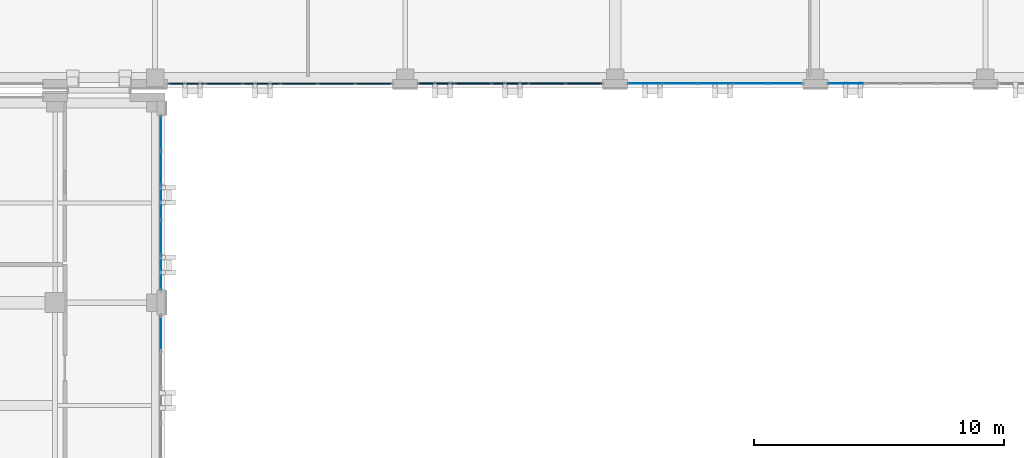
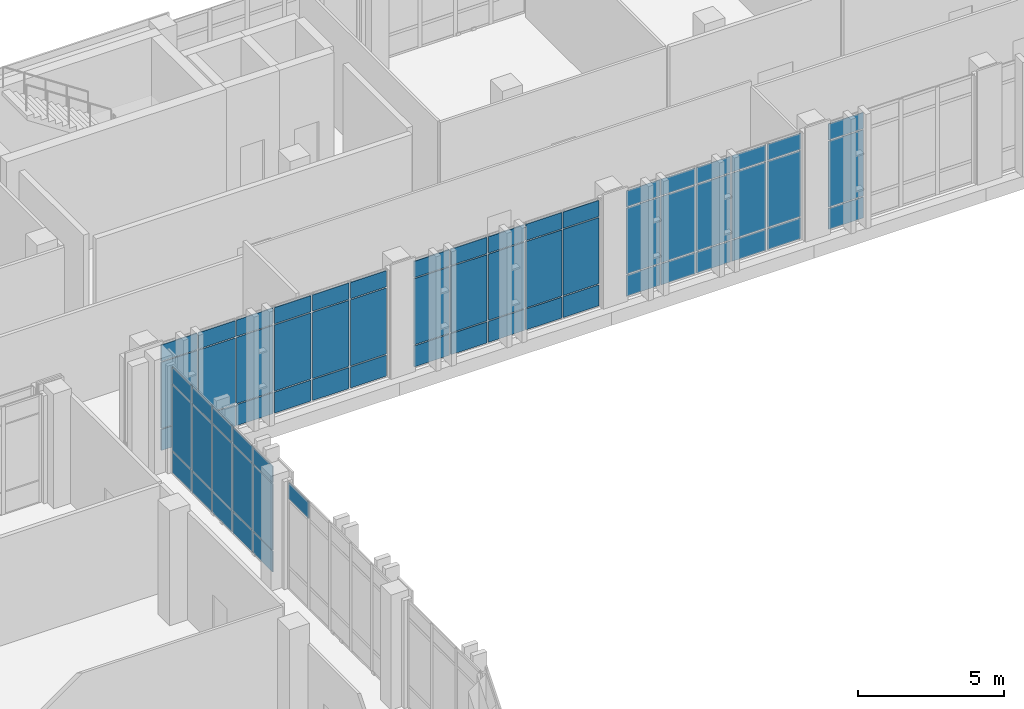
# One storey, part 142 of 189: 67 plates, 6 elements without a shape of their own.
"""IFC4 building model written with IfcOpenShell, lengths in metres."""

from ifc_helpers import new_model, si_unit, direction, frame, origin, origin_2d, place, context, subcontext, project, spatial, rectangle, extrude, material, layer, layer_set, type_object, element, aggregate, save


model = new_model("IFC4")

# Units and contexts
model_context = context("Model", 3, precision=1e-05, world=origin(), true_north=direction((0.0, 1.0)))
body_context = subcontext(model_context, "Body", "Model", "MODEL_VIEW")
ifc_project = project(units=[si_unit("LENGTHUNIT", "METRE"), si_unit("AREAUNIT", "SQUARE_METRE"), si_unit("VOLUMEUNIT", "CUBIC_METRE"), si_unit("PLANEANGLEUNIT", "RADIAN"), si_unit("MASSUNIT", "GRAM", prefix="KILO")], contexts=[model_context])

# Site, building, storey
site_placement = place(None, origin())
site = spatial("IfcSite", under=ifc_project, at=site_placement, CompositionType="ELEMENT")
building_placement = place(site_placement, origin())
building = spatial("IfcBuilding", under=site, at=building_placement, Name="Qalavern Law Courts", CompositionType="ELEMENT")
storey_placement = place(building_placement, frame((0.0, 0.0, 5.39990234375)))
storey = spatial("IfcBuildingStorey", under=building, at=storey_placement, Name="L01", CompositionType="ELEMENT", Elevation=5.39990234375)

# Curtain wall, plates
ifc_material_1 = material(Name="Anodised aluminium and insulated glazing", Category="aluminium")
ifc_layer_1 = layer(ifc_material_1, 0.166015625)
ifc_layer_set_1 = layer_set([ifc_layer_1], Name="Anodised aluminium and insulated glazing")
curtain_wall_type_1 = type_object("IfcCurtainWallType", Name="ENV-CW-LIB", PredefinedType="USERDEFINED", material=ifc_layer_set_1)
curtain_wall_1_placement = place(storey_placement, origin())
curtain_wall_1 = element("IfcCurtainWall", 1, at=curtain_wall_1_placement, inside=storey, type_object=curtain_wall_type_1, Name="V5 unitised curtain wall L01 south 3", ObjectType="UNITISED CURTAIN WALL", PredefinedType="USERDEFINED")
ifc_material_2 = material(Name="Insulated low-E acoustic glazing", Category="glass")
ifc_layer_2 = layer(ifc_material_2, 0.02392578125)
ifc_layer_set_2 = layer_set([ifc_layer_2], Name="Insulated low-E acoustic glazing")
plate_type_1 = type_object("IfcPlateType", Name="ENV-CWP-24", PredefinedType="CURTAIN_PANEL", material=ifc_layer_set_2)
plate_1_placement = place(storey_placement, frame((38.011962890625, 96.362548828125, 0.048095703125), z_axis=(0.0, 0.0, 1.0), x_axis=(1.0, 0.0, 0.0)))
plate_1 = element("IfcPlate", 2, at=plate_1_placement, type_object=plate_type_1, Name="CW-05 panel 1.1", PredefinedType="CURTAIN_PANEL", context=body_context, shape_type="SweptSolid", body=[
    extrude(rectangle(XDim=1.327880859375, YDim=0.02392578125, at=origin_2d()), origin(), (0.0, 0.0, 1.0), 0.8779296875),
])
plate_2_placement = place(storey_placement, frame((38.011962890625, 96.362548828125, 0.97412109375), z_axis=(0.0, 0.0, 1.0), x_axis=(1.0, 0.0, 0.0)))
plate_2 = element("IfcPlate", 3, at=plate_2_placement, type_object=plate_type_1, Name="CW-05 panel 1.2", PredefinedType="CURTAIN_PANEL", context=body_context, shape_type="SweptSolid", body=[
    extrude(rectangle(XDim=1.327880859375, YDim=0.02392578125, at=origin_2d()), origin(), (0.0, 0.0, 1.0), 2.761962890625),
])
plate_3_placement = place(storey_placement, frame((38.011962890625, 96.362548828125, 3.7841796875), z_axis=(0.0, 0.0, 1.0), x_axis=(1.0, 0.0, 0.0)))
plate_3 = element("IfcPlate", 4, at=plate_3_placement, type_object=plate_type_1, Name="CW-05 panel 1.3", PredefinedType="CURTAIN_PANEL", context=body_context, shape_type="SweptSolid", body=[
    extrude(rectangle(XDim=1.327880859375, YDim=0.02392578125, at=origin_2d()), origin(), (0.0, 0.0, 1.0), 0.677978515625),
])
plate_4_placement = place(storey_placement, frame((39.39990234375, 96.362548828125, 0.048095703125), z_axis=(0.0, 0.0, 1.0), x_axis=(1.0, 0.0, 0.0)))
plate_4 = element("IfcPlate", 5, at=plate_4_placement, type_object=plate_type_1, Name="CW-05 panel 2.1", PredefinedType="CURTAIN_PANEL", context=body_context, shape_type="SweptSolid", body=[
    extrude(rectangle(XDim=1.35205078125, YDim=0.02392578125, at=origin_2d()), origin(), (0.0, 0.0, 1.0), 0.8779296875),
])
plate_5_placement = place(storey_placement, frame((39.39990234375, 96.362548828125, 0.97412109375), z_axis=(0.0, 0.0, 1.0), x_axis=(1.0, 0.0, 0.0)))
plate_5 = element("IfcPlate", 6, at=plate_5_placement, type_object=plate_type_1, Name="CW-05 panel 2.2", PredefinedType="CURTAIN_PANEL", context=body_context, shape_type="SweptSolid", body=[
    extrude(rectangle(XDim=1.35205078125, YDim=0.02392578125, at=origin_2d()), origin(), (0.0, 0.0, 1.0), 2.761962890625),
])
plate_6_placement = place(storey_placement, frame((39.39990234375, 96.362548828125, 3.7841796875), z_axis=(0.0, 0.0, 1.0), x_axis=(1.0, 0.0, 0.0)))
plate_6 = element("IfcPlate", 7, at=plate_6_placement, type_object=plate_type_1, Name="CW-05 panel 2.3", PredefinedType="CURTAIN_PANEL", context=body_context, shape_type="SweptSolid", body=[
    extrude(rectangle(XDim=1.35205078125, YDim=0.02392578125, at=origin_2d()), origin(), (0.0, 0.0, 1.0), 0.677978515625),
])
plate_7_placement = place(storey_placement, frame((40.800048828125, 96.362548828125, 0.048095703125), z_axis=(0.0, 0.0, 1.0), x_axis=(1.0, 0.0, 0.0)))
plate_7 = element("IfcPlate", 8, at=plate_7_placement, type_object=plate_type_1, Name="CW-05 panel 3.1", PredefinedType="CURTAIN_PANEL", context=body_context, shape_type="SweptSolid", body=[
    extrude(rectangle(XDim=1.35205078125, YDim=0.02392578125, at=origin_2d()), origin(), (0.0, 0.0, 1.0), 0.8779296875),
])
plate_8_placement = place(storey_placement, frame((40.800048828125, 96.362548828125, 0.97412109375), z_axis=(0.0, 0.0, 1.0), x_axis=(1.0, 0.0, 0.0)))
plate_8 = element("IfcPlate", 9, at=plate_8_placement, type_object=plate_type_1, Name="CW-05 panel 3.2", PredefinedType="CURTAIN_PANEL", context=body_context, shape_type="SweptSolid", body=[
    extrude(rectangle(XDim=1.35205078125, YDim=0.02392578125, at=origin_2d()), origin(), (0.0, 0.0, 1.0), 2.761962890625),
])
plate_9_placement = place(storey_placement, frame((40.800048828125, 96.362548828125, 3.7841796875), z_axis=(0.0, 0.0, 1.0), x_axis=(1.0, 0.0, 0.0)))
plate_9 = element("IfcPlate", 10, at=plate_9_placement, type_object=plate_type_1, Name="CW-05 panel 3.3", PredefinedType="CURTAIN_PANEL", context=body_context, shape_type="SweptSolid", body=[
    extrude(rectangle(XDim=1.35205078125, YDim=0.02392578125, at=origin_2d()), origin(), (0.0, 0.0, 1.0), 0.677978515625),
])
plate_10_placement = place(storey_placement, frame((42.199951171875, 96.362548828125, 0.048095703125), z_axis=(0.0, 0.0, 1.0), x_axis=(1.0, 0.0, 0.0)))
plate_10 = element("IfcPlate", 11, at=plate_10_placement, type_object=plate_type_1, Name="CW-05 panel 4.1", PredefinedType="CURTAIN_PANEL", context=body_context, shape_type="SweptSolid", body=[
    extrude(rectangle(XDim=1.35205078125, YDim=0.02392578125, at=origin_2d()), origin(), (0.0, 0.0, 1.0), 0.8779296875),
])
plate_11_placement = place(storey_placement, frame((42.199951171875, 96.362548828125, 0.97412109375), z_axis=(0.0, 0.0, 1.0), x_axis=(1.0, 0.0, 0.0)))
plate_11 = element("IfcPlate", 12, at=plate_11_placement, type_object=plate_type_1, Name="CW-05 panel 4.2", PredefinedType="CURTAIN_PANEL", context=body_context, shape_type="SweptSolid", body=[
    extrude(rectangle(XDim=1.35205078125, YDim=0.02392578125, at=origin_2d()), origin(), (0.0, 0.0, 1.0), 2.761962890625),
])
plate_12_placement = place(storey_placement, frame((42.199951171875, 96.362548828125, 3.7841796875), z_axis=(0.0, 0.0, 1.0), x_axis=(1.0, 0.0, 0.0)))
plate_12 = element("IfcPlate", 13, at=plate_12_placement, type_object=plate_type_1, Name="CW-05 panel 4.3", PredefinedType="CURTAIN_PANEL", context=body_context, shape_type="SweptSolid", body=[
    extrude(rectangle(XDim=1.35205078125, YDim=0.02392578125, at=origin_2d()), origin(), (0.0, 0.0, 1.0), 0.677978515625),
])
plate_13_placement = place(storey_placement, frame((43.587890625, 96.362548828125, 0.048095703125), z_axis=(0.0, 0.0, 1.0), x_axis=(1.0, 0.0, 0.0)))
plate_13 = element("IfcPlate", 14, at=plate_13_placement, type_object=plate_type_1, Name="CW-05 panel 5.1", PredefinedType="CURTAIN_PANEL", context=body_context, shape_type="SweptSolid", body=[
    extrude(rectangle(XDim=1.327880859375, YDim=0.02392578125, at=origin_2d()), origin(), (0.0, 0.0, 1.0), 0.8779296875),
])
plate_14_placement = place(storey_placement, frame((43.587890625, 96.362548828125, 0.97412109375), z_axis=(0.0, 0.0, 1.0), x_axis=(1.0, 0.0, 0.0)))
plate_14 = element("IfcPlate", 15, at=plate_14_placement, type_object=plate_type_1, Name="CW-05 panel 5.2", PredefinedType="CURTAIN_PANEL", context=body_context, shape_type="SweptSolid", body=[
    extrude(rectangle(XDim=1.327880859375, YDim=0.02392578125, at=origin_2d()), origin(), (0.0, 0.0, 1.0), 2.761962890625),
])
plate_15_placement = place(storey_placement, frame((43.587890625, 96.362548828125, 3.7841796875), z_axis=(0.0, 0.0, 1.0), x_axis=(1.0, 0.0, 0.0)))
plate_15 = element("IfcPlate", 16, at=plate_15_placement, type_object=plate_type_1, Name="CW-05 panel 5.3", PredefinedType="CURTAIN_PANEL", context=body_context, shape_type="SweptSolid", body=[
    extrude(rectangle(XDim=1.327880859375, YDim=0.02392578125, at=origin_2d()), origin(), (0.0, 0.0, 1.0), 0.677978515625),
])
aggregate(curtain_wall_1, [plate_1, plate_2, plate_3, plate_4, plate_5, plate_6, plate_7, plate_8, plate_9, plate_10, plate_11, plate_12, plate_13, plate_14, plate_15])

curtain_wall_2_placement = place(storey_placement, origin())
curtain_wall_2 = element("IfcCurtainWall", 17, at=curtain_wall_2_placement, inside=storey, type_object=curtain_wall_type_1, Name="V5 unitised curtain wall L01 south 4", ObjectType="UNITISED CURTAIN WALL", PredefinedType="USERDEFINED")
ifc_layer_3 = layer(ifc_material_2, 0.028076171875)
ifc_layer_set_3 = layer_set([ifc_layer_3], Name="Insulated low-E acoustic glazing")
plate_type_2 = type_object("IfcPlateType", Name="ENV-CWP-28", PredefinedType="CURTAIN_PANEL", material=ifc_layer_set_3)
plate_16_placement = place(storey_placement, frame((46.037109375, 96.362548828125, 0.048095703125), z_axis=(0.0, 0.0, 1.0), x_axis=(1.0, 0.0, 0.0)))
plate_16 = element("IfcPlate", 18, at=plate_16_placement, type_object=plate_type_2, Name="CW-05 panel 1.1", PredefinedType="CURTAIN_PANEL", context=body_context, shape_type="SweptSolid", body=[
    extrude(rectangle(XDim=1.3779296875, YDim=0.028076171875, at=origin_2d()), origin(), (0.0, 0.0, 1.0), 0.8779296875),
])
plate_17_placement = place(storey_placement, frame((46.037109375, 96.362548828125, 0.97412109375), z_axis=(0.0, 0.0, 1.0), x_axis=(1.0, 0.0, 0.0)))
plate_17 = element("IfcPlate", 19, at=plate_17_placement, type_object=plate_type_2, Name="CW-05 panel 1.2", PredefinedType="CURTAIN_PANEL", context=body_context, shape_type="SweptSolid", body=[
    extrude(rectangle(XDim=1.3779296875, YDim=0.028076171875, at=origin_2d()), origin(), (0.0, 0.0, 1.0), 2.761962890625),
])
plate_18_placement = place(storey_placement, frame((46.037109375, 96.362548828125, 3.7841796875), z_axis=(0.0, 0.0, 1.0), x_axis=(1.0, 0.0, 0.0)))
plate_18 = element("IfcPlate", 20, at=plate_18_placement, type_object=plate_type_2, Name="CW-05 panel 1.3", PredefinedType="CURTAIN_PANEL", context=body_context, shape_type="SweptSolid", body=[
    extrude(rectangle(XDim=1.3779296875, YDim=0.028076171875, at=origin_2d()), origin(), (0.0, 0.0, 1.0), 0.677978515625),
])
aggregate(curtain_wall_2, [plate_16, plate_17, plate_18])

# Curtain wall, plate
ifc_layer_4 = layer(ifc_material_1, 0.172119140625)
ifc_layer_set_4 = layer_set([ifc_layer_4], Name="Anodised aluminium and insulated glazing")
curtain_wall_type_2 = type_object("IfcCurtainWallType", Name="ENV-CW-COURT", PredefinedType="USERDEFINED", material=ifc_layer_set_4)
curtain_wall_3_placement = place(storey_placement, origin())
curtain_wall_3 = element("IfcCurtainWall", 21, at=curtain_wall_3_placement, inside=storey, type_object=curtain_wall_type_2, Name="V3 unitised curtain wall L01 east 6", ObjectType="UNITISED CURTAIN WALL", PredefinedType="USERDEFINED")
ifc_layer_5 = layer(ifc_material_2, 0.031982421875)
ifc_layer_set_5 = layer_set([ifc_layer_5], Name="Insulated low-E acoustic glazing")
plate_type_3 = type_object("IfcPlateType", Name="ENV-CWP-32", PredefinedType="CURTAIN_PANEL", material=ifc_layer_set_5)
plate_19_placement = place(storey_placement, frame((18.637451171875, 86.367919921875, 3.7841796875), z_axis=(0.0, 0.0, 1.0), x_axis=(0.0, 1.0, 0.0)))
plate_19 = element("IfcPlate", 22, at=plate_19_placement, type_object=plate_type_3, Name="CW-03 panel 5.3", PredefinedType="CURTAIN_PANEL", context=body_context, shape_type="SweptSolid", body=[
    extrude(rectangle(XDim=1.367919921875, YDim=0.031982421875, at=origin_2d()), origin(), (0.0, 0.0, 1.0), 0.677978515625),
])
aggregate(curtain_wall_3, [plate_19])

# Curtain wall, plates
curtain_wall_4_placement = place(storey_placement, origin())
curtain_wall_4 = element("IfcCurtainWall", 23, at=curtain_wall_4_placement, inside=storey, type_object=curtain_wall_type_2, Name="V3 unitised curtain wall L01 east 7", ObjectType="UNITISED CURTAIN WALL", PredefinedType="USERDEFINED")
ifc_layer_6 = layer(ifc_material_2, 0.035888671875)
ifc_layer_set_6 = layer_set([ifc_layer_6], Name="Insulated low-E acoustic glazing")
plate_type_4 = type_object("IfcPlateType", Name="ENV-CWP-36", PredefinedType="CURTAIN_PANEL", material=ifc_layer_set_6)
plate_20_placement = place(storey_placement, frame((18.637451171875, 88.81005859375, 0.048095703125), z_axis=(0.0, 0.0, 1.0), x_axis=(0.0, 1.0, 0.0)))
plate_20 = element("IfcPlate", 24, at=plate_20_placement, type_object=plate_type_4, Name="CW-03 panel 1.1", PredefinedType="CURTAIN_PANEL", context=body_context, shape_type="SweptSolid", body=[
    extrude(rectangle(XDim=1.323974609375, YDim=0.035888671875, at=origin_2d()), origin(), (0.0, 0.0, 1.0), 0.8779296875),
])
plate_21_placement = place(storey_placement, frame((18.637451171875, 88.81005859375, 0.97412109375), z_axis=(0.0, 0.0, 1.0), x_axis=(0.0, 1.0, 0.0)))
plate_21 = element("IfcPlate", 25, at=plate_21_placement, type_object=plate_type_4, Name="CW-03 panel 1.2", PredefinedType="CURTAIN_PANEL", context=body_context, shape_type="SweptSolid", body=[
    extrude(rectangle(XDim=1.323974609375, YDim=0.035888671875, at=origin_2d()), origin(), (0.0, 0.0, 1.0), 2.761962890625),
])
plate_22_placement = place(storey_placement, frame((18.637451171875, 88.81005859375, 3.7841796875), z_axis=(0.0, 0.0, 1.0), x_axis=(0.0, 1.0, 0.0)))
plate_22 = element("IfcPlate", 26, at=plate_22_placement, type_object=plate_type_4, Name="CW-03 panel 1.3", PredefinedType="CURTAIN_PANEL", context=body_context, shape_type="SweptSolid", body=[
    extrude(rectangle(XDim=1.323974609375, YDim=0.035888671875, at=origin_2d()), origin(), (0.0, 0.0, 1.0), 0.677978515625),
])
plate_23_placement = place(storey_placement, frame((18.637451171875, 90.194091796875, 0.048095703125), z_axis=(0.0, 0.0, 1.0), x_axis=(0.0, 1.0, 0.0)))
plate_23 = element("IfcPlate", 27, at=plate_23_placement, type_object=plate_type_4, Name="CW-03 panel 2.1", PredefinedType="CURTAIN_PANEL", context=body_context, shape_type="SweptSolid", body=[
    extrude(rectangle(XDim=1.347900390625, YDim=0.035888671875, at=origin_2d()), origin(), (0.0, 0.0, 1.0), 0.8779296875),
])
plate_24_placement = place(storey_placement, frame((18.637451171875, 90.194091796875, 0.97412109375), z_axis=(0.0, 0.0, 1.0), x_axis=(0.0, 1.0, 0.0)))
plate_24 = element("IfcPlate", 28, at=plate_24_placement, type_object=plate_type_4, Name="CW-03 panel 2.2", PredefinedType="CURTAIN_PANEL", context=body_context, shape_type="SweptSolid", body=[
    extrude(rectangle(XDim=1.347900390625, YDim=0.035888671875, at=origin_2d()), origin(), (0.0, 0.0, 1.0), 2.761962890625),
])
plate_25_placement = place(storey_placement, frame((18.637451171875, 90.194091796875, 3.7841796875), z_axis=(0.0, 0.0, 1.0), x_axis=(0.0, 1.0, 0.0)))
plate_25 = element("IfcPlate", 29, at=plate_25_placement, type_object=plate_type_4, Name="CW-03 panel 2.3", PredefinedType="CURTAIN_PANEL", context=body_context, shape_type="SweptSolid", body=[
    extrude(rectangle(XDim=1.347900390625, YDim=0.035888671875, at=origin_2d()), origin(), (0.0, 0.0, 1.0), 0.677978515625),
])
plate_26_placement = place(storey_placement, frame((18.637451171875, 91.590087890625, 0.048095703125), z_axis=(0.0, 0.0, 1.0), x_axis=(0.0, 1.0, 0.0)))
plate_26 = element("IfcPlate", 30, at=plate_26_placement, type_object=plate_type_4, Name="CW-03 panel 3.1", PredefinedType="CURTAIN_PANEL", context=body_context, shape_type="SweptSolid", body=[
    extrude(rectangle(XDim=1.347900390625, YDim=0.035888671875, at=origin_2d()), origin(), (0.0, 0.0, 1.0), 0.8779296875),
])
plate_27_placement = place(storey_placement, frame((18.637451171875, 91.590087890625, 0.97412109375), z_axis=(0.0, 0.0, 1.0), x_axis=(0.0, 1.0, 0.0)))
plate_27 = element("IfcPlate", 31, at=plate_27_placement, type_object=plate_type_4, Name="CW-03 panel 3.2", PredefinedType="CURTAIN_PANEL", context=body_context, shape_type="SweptSolid", body=[
    extrude(rectangle(XDim=1.347900390625, YDim=0.035888671875, at=origin_2d()), origin(), (0.0, 0.0, 1.0), 2.761962890625),
])
plate_28_placement = place(storey_placement, frame((18.637451171875, 91.590087890625, 3.7841796875), z_axis=(0.0, 0.0, 1.0), x_axis=(0.0, 1.0, 0.0)))
plate_28 = element("IfcPlate", 32, at=plate_28_placement, type_object=plate_type_4, Name="CW-03 panel 3.3", PredefinedType="CURTAIN_PANEL", context=body_context, shape_type="SweptSolid", body=[
    extrude(rectangle(XDim=1.347900390625, YDim=0.035888671875, at=origin_2d()), origin(), (0.0, 0.0, 1.0), 0.677978515625),
])
plate_29_placement = place(storey_placement, frame((18.637451171875, 92.986083984375, 0.048095703125), z_axis=(0.0, 0.0, 1.0), x_axis=(0.0, 1.0, 0.0)))
plate_29 = element("IfcPlate", 33, at=plate_29_placement, type_object=plate_type_4, Name="CW-03 panel 4.1", PredefinedType="CURTAIN_PANEL", context=body_context, shape_type="SweptSolid", body=[
    extrude(rectangle(XDim=1.347900390625, YDim=0.035888671875, at=origin_2d()), origin(), (0.0, 0.0, 1.0), 0.8779296875),
])
plate_30_placement = place(storey_placement, frame((18.637451171875, 92.986083984375, 0.97412109375), z_axis=(0.0, 0.0, 1.0), x_axis=(0.0, 1.0, 0.0)))
plate_30 = element("IfcPlate", 34, at=plate_30_placement, type_object=plate_type_4, Name="CW-03 panel 4.2", PredefinedType="CURTAIN_PANEL", context=body_context, shape_type="SweptSolid", body=[
    extrude(rectangle(XDim=1.347900390625, YDim=0.035888671875, at=origin_2d()), origin(), (0.0, 0.0, 1.0), 2.761962890625),
])
plate_31_placement = place(storey_placement, frame((18.637451171875, 92.986083984375, 3.7841796875), z_axis=(0.0, 0.0, 1.0), x_axis=(0.0, 1.0, 0.0)))
plate_31 = element("IfcPlate", 35, at=plate_31_placement, type_object=plate_type_4, Name="CW-03 panel 4.3", PredefinedType="CURTAIN_PANEL", context=body_context, shape_type="SweptSolid", body=[
    extrude(rectangle(XDim=1.347900390625, YDim=0.035888671875, at=origin_2d()), origin(), (0.0, 0.0, 1.0), 0.677978515625),
])
plate_32_placement = place(storey_placement, frame((18.637451171875, 94.3701171875, 0.048095703125), z_axis=(0.0, 0.0, 1.0), x_axis=(0.0, 1.0, 0.0)))
plate_32 = element("IfcPlate", 36, at=plate_32_placement, type_object=plate_type_4, Name="CW-03 panel 5.1", PredefinedType="CURTAIN_PANEL", context=body_context, shape_type="SweptSolid", body=[
    extrude(rectangle(XDim=1.323974609375, YDim=0.035888671875, at=origin_2d()), origin(), (0.0, 0.0, 1.0), 0.8779296875),
])
plate_33_placement = place(storey_placement, frame((18.637451171875, 94.3701171875, 0.97412109375), z_axis=(0.0, 0.0, 1.0), x_axis=(0.0, 1.0, 0.0)))
plate_33 = element("IfcPlate", 37, at=plate_33_placement, type_object=plate_type_4, Name="CW-03 panel 5.2", PredefinedType="CURTAIN_PANEL", context=body_context, shape_type="SweptSolid", body=[
    extrude(rectangle(XDim=1.323974609375, YDim=0.035888671875, at=origin_2d()), origin(), (0.0, 0.0, 1.0), 2.761962890625),
])
plate_34_placement = place(storey_placement, frame((18.637451171875, 94.3701171875, 3.7841796875), z_axis=(0.0, 0.0, 1.0), x_axis=(0.0, 1.0, 0.0)))
plate_34 = element("IfcPlate", 38, at=plate_34_placement, type_object=plate_type_4, Name="CW-03 panel 5.3", PredefinedType="CURTAIN_PANEL", context=body_context, shape_type="SweptSolid", body=[
    extrude(rectangle(XDim=1.323974609375, YDim=0.035888671875, at=origin_2d()), origin(), (0.0, 0.0, 1.0), 0.677978515625),
])
aggregate(curtain_wall_4, [plate_20, plate_21, plate_22, plate_23, plate_24, plate_25, plate_26, plate_27, plate_28, plate_29, plate_30, plate_31, plate_32, plate_33, plate_34])

curtain_wall_5_placement = place(storey_placement, origin())
curtain_wall_5 = element("IfcCurtainWall", 39, at=curtain_wall_5_placement, inside=storey, type_object=curtain_wall_type_1, Name="V5 unitised curtain wall L01 south 1", ObjectType="UNITISED CURTAIN WALL", PredefinedType="USERDEFINED")
ifc_layer_7 = layer(ifc_material_2, 0.048095703125)
ifc_layer_set_7 = layer_set([ifc_layer_7], Name="Insulated low-E acoustic glazing")
plate_type_5 = type_object("IfcPlateType", Name="ENV-CWP-48", PredefinedType="CURTAIN_PANEL", material=ifc_layer_set_7)
plate_35_placement = place(storey_placement, frame((19.662109375, 96.362548828125, 0.048095703125), z_axis=(0.0, 0.0, 1.0), x_axis=(1.0, 0.0, 0.0)))
plate_35 = element("IfcPlate", 40, at=plate_35_placement, type_object=plate_type_5, Name="CW-05 panel 1.1", PredefinedType="CURTAIN_PANEL", context=body_context, shape_type="SweptSolid", body=[
    extrude(rectangle(XDim=1.427978515625, YDim=0.048095703125, at=origin_2d()), origin(), (0.0, 0.0, 1.0), 0.8779296875),
])
plate_36_placement = place(storey_placement, frame((19.662109375, 96.362548828125, 0.97412109375), z_axis=(0.0, 0.0, 1.0), x_axis=(1.0, 0.0, 0.0)))
plate_36 = element("IfcPlate", 41, at=plate_36_placement, type_object=plate_type_5, Name="CW-05 panel 1.2", PredefinedType="CURTAIN_PANEL", context=body_context, shape_type="SweptSolid", body=[
    extrude(rectangle(XDim=1.427978515625, YDim=0.048095703125, at=origin_2d()), origin(), (0.0, 0.0, 1.0), 2.761962890625),
])
plate_37_placement = place(storey_placement, frame((19.662109375, 96.362548828125, 3.7841796875), z_axis=(0.0, 0.0, 1.0), x_axis=(1.0, 0.0, 0.0)))
plate_37 = element("IfcPlate", 42, at=plate_37_placement, type_object=plate_type_5, Name="CW-05 panel 1.3", PredefinedType="CURTAIN_PANEL", context=body_context, shape_type="SweptSolid", body=[
    extrude(rectangle(XDim=1.427978515625, YDim=0.048095703125, at=origin_2d()), origin(), (0.0, 0.0, 1.0), 0.677978515625),
])
plate_38_placement = place(storey_placement, frame((21.14990234375, 96.362548828125, 0.048095703125), z_axis=(0.0, 0.0, 1.0), x_axis=(1.0, 0.0, 0.0)))
plate_38 = element("IfcPlate", 43, at=plate_38_placement, type_object=plate_type_5, Name="CW-05 panel 2.1", PredefinedType="CURTAIN_PANEL", context=body_context, shape_type="SweptSolid", body=[
    extrude(rectangle(XDim=1.451904296875, YDim=0.048095703125, at=origin_2d()), origin(), (0.0, 0.0, 1.0), 0.8779296875),
])
plate_39_placement = place(storey_placement, frame((21.14990234375, 96.362548828125, 0.97412109375), z_axis=(0.0, 0.0, 1.0), x_axis=(1.0, 0.0, 0.0)))
plate_39 = element("IfcPlate", 44, at=plate_39_placement, type_object=plate_type_5, Name="CW-05 panel 2.2", PredefinedType="CURTAIN_PANEL", context=body_context, shape_type="SweptSolid", body=[
    extrude(rectangle(XDim=1.451904296875, YDim=0.048095703125, at=origin_2d()), origin(), (0.0, 0.0, 1.0), 2.761962890625),
])
plate_40_placement = place(storey_placement, frame((21.14990234375, 96.362548828125, 3.7841796875), z_axis=(0.0, 0.0, 1.0), x_axis=(1.0, 0.0, 0.0)))
plate_40 = element("IfcPlate", 45, at=plate_40_placement, type_object=plate_type_5, Name="CW-05 panel 2.3", PredefinedType="CURTAIN_PANEL", context=body_context, shape_type="SweptSolid", body=[
    extrude(rectangle(XDim=1.451904296875, YDim=0.048095703125, at=origin_2d()), origin(), (0.0, 0.0, 1.0), 0.677978515625),
])
plate_41_placement = place(storey_placement, frame((22.64990234375, 96.362548828125, 0.048095703125), z_axis=(0.0, 0.0, 1.0), x_axis=(1.0, 0.0, 0.0)))
plate_41 = element("IfcPlate", 46, at=plate_41_placement, type_object=plate_type_5, Name="CW-05 panel 3.1", PredefinedType="CURTAIN_PANEL", context=body_context, shape_type="SweptSolid", body=[
    extrude(rectangle(XDim=1.451904296875, YDim=0.048095703125, at=origin_2d()), origin(), (0.0, 0.0, 1.0), 0.8779296875),
])
plate_42_placement = place(storey_placement, frame((22.64990234375, 96.362548828125, 0.97412109375), z_axis=(0.0, 0.0, 1.0), x_axis=(1.0, 0.0, 0.0)))
plate_42 = element("IfcPlate", 47, at=plate_42_placement, type_object=plate_type_5, Name="CW-05 panel 3.2", PredefinedType="CURTAIN_PANEL", context=body_context, shape_type="SweptSolid", body=[
    extrude(rectangle(XDim=1.451904296875, YDim=0.048095703125, at=origin_2d()), origin(), (0.0, 0.0, 1.0), 2.761962890625),
])
plate_43_placement = place(storey_placement, frame((22.64990234375, 96.362548828125, 3.7841796875), z_axis=(0.0, 0.0, 1.0), x_axis=(1.0, 0.0, 0.0)))
plate_43 = element("IfcPlate", 48, at=plate_43_placement, type_object=plate_type_5, Name="CW-05 panel 3.3", PredefinedType="CURTAIN_PANEL", context=body_context, shape_type="SweptSolid", body=[
    extrude(rectangle(XDim=1.451904296875, YDim=0.048095703125, at=origin_2d()), origin(), (0.0, 0.0, 1.0), 0.677978515625),
])
plate_44_placement = place(storey_placement, frame((24.14990234375, 96.362548828125, 0.048095703125), z_axis=(0.0, 0.0, 1.0), x_axis=(1.0, 0.0, 0.0)))
plate_44 = element("IfcPlate", 49, at=plate_44_placement, type_object=plate_type_5, Name="CW-05 panel 4.1", PredefinedType="CURTAIN_PANEL", context=body_context, shape_type="SweptSolid", body=[
    extrude(rectangle(XDim=1.451904296875, YDim=0.048095703125, at=origin_2d()), origin(), (0.0, 0.0, 1.0), 0.8779296875),
])
plate_45_placement = place(storey_placement, frame((24.14990234375, 96.362548828125, 0.97412109375), z_axis=(0.0, 0.0, 1.0), x_axis=(1.0, 0.0, 0.0)))
plate_45 = element("IfcPlate", 50, at=plate_45_placement, type_object=plate_type_5, Name="CW-05 panel 4.2", PredefinedType="CURTAIN_PANEL", context=body_context, shape_type="SweptSolid", body=[
    extrude(rectangle(XDim=1.451904296875, YDim=0.048095703125, at=origin_2d()), origin(), (0.0, 0.0, 1.0), 2.761962890625),
])
plate_46_placement = place(storey_placement, frame((24.14990234375, 96.362548828125, 3.7841796875), z_axis=(0.0, 0.0, 1.0), x_axis=(1.0, 0.0, 0.0)))
plate_46 = element("IfcPlate", 51, at=plate_46_placement, type_object=plate_type_5, Name="CW-05 panel 4.3", PredefinedType="CURTAIN_PANEL", context=body_context, shape_type="SweptSolid", body=[
    extrude(rectangle(XDim=1.451904296875, YDim=0.048095703125, at=origin_2d()), origin(), (0.0, 0.0, 1.0), 0.677978515625),
])
plate_47_placement = place(storey_placement, frame((25.64990234375, 96.362548828125, 0.048095703125), z_axis=(0.0, 0.0, 1.0), x_axis=(1.0, 0.0, 0.0)))
plate_47 = element("IfcPlate", 52, at=plate_47_placement, type_object=plate_type_5, Name="CW-05 panel 5.1", PredefinedType="CURTAIN_PANEL", context=body_context, shape_type="SweptSolid", body=[
    extrude(rectangle(XDim=1.451904296875, YDim=0.048095703125, at=origin_2d()), origin(), (0.0, 0.0, 1.0), 0.8779296875),
])
plate_48_placement = place(storey_placement, frame((25.64990234375, 96.362548828125, 0.97412109375), z_axis=(0.0, 0.0, 1.0), x_axis=(1.0, 0.0, 0.0)))
plate_48 = element("IfcPlate", 53, at=plate_48_placement, type_object=plate_type_5, Name="CW-05 panel 5.2", PredefinedType="CURTAIN_PANEL", context=body_context, shape_type="SweptSolid", body=[
    extrude(rectangle(XDim=1.451904296875, YDim=0.048095703125, at=origin_2d()), origin(), (0.0, 0.0, 1.0), 2.761962890625),
])
plate_49_placement = place(storey_placement, frame((25.64990234375, 96.362548828125, 3.7841796875), z_axis=(0.0, 0.0, 1.0), x_axis=(1.0, 0.0, 0.0)))
plate_49 = element("IfcPlate", 54, at=plate_49_placement, type_object=plate_type_5, Name="CW-05 panel 5.3", PredefinedType="CURTAIN_PANEL", context=body_context, shape_type="SweptSolid", body=[
    extrude(rectangle(XDim=1.451904296875, YDim=0.048095703125, at=origin_2d()), origin(), (0.0, 0.0, 1.0), 0.677978515625),
])
plate_50_placement = place(storey_placement, frame((27.137939453125, 96.362548828125, 0.048095703125), z_axis=(0.0, 0.0, 1.0), x_axis=(1.0, 0.0, 0.0)))
plate_50 = element("IfcPlate", 55, at=plate_50_placement, type_object=plate_type_5, Name="CW-05 panel 6.1", PredefinedType="CURTAIN_PANEL", context=body_context, shape_type="SweptSolid", body=[
    extrude(rectangle(XDim=1.427978515625, YDim=0.048095703125, at=origin_2d()), origin(), (0.0, 0.0, 1.0), 0.8779296875),
])
plate_51_placement = place(storey_placement, frame((27.137939453125, 96.362548828125, 0.97412109375), z_axis=(0.0, 0.0, 1.0), x_axis=(1.0, 0.0, 0.0)))
plate_51 = element("IfcPlate", 56, at=plate_51_placement, type_object=plate_type_5, Name="CW-05 panel 6.2", PredefinedType="CURTAIN_PANEL", context=body_context, shape_type="SweptSolid", body=[
    extrude(rectangle(XDim=1.427978515625, YDim=0.048095703125, at=origin_2d()), origin(), (0.0, 0.0, 1.0), 2.761962890625),
])
plate_52_placement = place(storey_placement, frame((27.137939453125, 96.362548828125, 3.7841796875), z_axis=(0.0, 0.0, 1.0), x_axis=(1.0, 0.0, 0.0)))
plate_52 = element("IfcPlate", 57, at=plate_52_placement, type_object=plate_type_5, Name="CW-05 panel 6.3", PredefinedType="CURTAIN_PANEL", context=body_context, shape_type="SweptSolid", body=[
    extrude(rectangle(XDim=1.427978515625, YDim=0.048095703125, at=origin_2d()), origin(), (0.0, 0.0, 1.0), 0.677978515625),
])
aggregate(curtain_wall_5, [plate_35, plate_36, plate_37, plate_38, plate_39, plate_40, plate_41, plate_42, plate_43, plate_44, plate_45, plate_46, plate_47, plate_48, plate_49, plate_50, plate_51, plate_52])

curtain_wall_6_placement = place(storey_placement, origin())
curtain_wall_6 = element("IfcCurtainWall", 58, at=curtain_wall_6_placement, inside=storey, type_object=curtain_wall_type_1, Name="V5 unitised curtain wall L01 south 2", ObjectType="UNITISED CURTAIN WALL", PredefinedType="USERDEFINED")
ifc_layer_8 = layer(ifc_material_2, 0.052001953125)
ifc_layer_set_8 = layer_set([ifc_layer_8], Name="Insulated low-E acoustic glazing")
plate_type_6 = type_object("IfcPlateType", Name="ENV-CWP-52", PredefinedType="CURTAIN_PANEL", material=ifc_layer_set_8)
plate_53_placement = place(storey_placement, frame((29.652099609375, 96.362548828125, 0.048095703125), z_axis=(0.0, 0.0, 1.0), x_axis=(1.0, 0.0, 0.0)))
plate_53 = element("IfcPlate", 59, at=plate_53_placement, type_object=plate_type_6, Name="CW-05 panel 1.1", PredefinedType="CURTAIN_PANEL", context=body_context, shape_type="SweptSolid", body=[
    extrude(rectangle(XDim=1.407958984375, YDim=0.052001953125, at=origin_2d()), origin(), (0.0, 0.0, 1.0), 0.8779296875),
])
plate_54_placement = place(storey_placement, frame((29.652099609375, 96.362548828125, 0.97412109375), z_axis=(0.0, 0.0, 1.0), x_axis=(1.0, 0.0, 0.0)))
plate_54 = element("IfcPlate", 60, at=plate_54_placement, type_object=plate_type_6, Name="CW-05 panel 1.2", PredefinedType="CURTAIN_PANEL", context=body_context, shape_type="SweptSolid", body=[
    extrude(rectangle(XDim=1.407958984375, YDim=0.052001953125, at=origin_2d()), origin(), (0.0, 0.0, 1.0), 2.761962890625),
])
plate_55_placement = place(storey_placement, frame((29.652099609375, 96.362548828125, 3.7841796875), z_axis=(0.0, 0.0, 1.0), x_axis=(1.0, 0.0, 0.0)))
plate_55 = element("IfcPlate", 61, at=plate_55_placement, type_object=plate_type_6, Name="CW-05 panel 1.3", PredefinedType="CURTAIN_PANEL", context=body_context, shape_type="SweptSolid", body=[
    extrude(rectangle(XDim=1.407958984375, YDim=0.052001953125, at=origin_2d()), origin(), (0.0, 0.0, 1.0), 0.677978515625),
])
plate_56_placement = place(storey_placement, frame((31.1201171875, 96.362548828125, 0.048095703125), z_axis=(0.0, 0.0, 1.0), x_axis=(1.0, 0.0, 0.0)))
plate_56 = element("IfcPlate", 62, at=plate_56_placement, type_object=plate_type_6, Name="CW-05 panel 2.1", PredefinedType="CURTAIN_PANEL", context=body_context, shape_type="SweptSolid", body=[
    extrude(rectangle(XDim=1.431884765625, YDim=0.052001953125, at=origin_2d()), origin(), (0.0, 0.0, 1.0), 0.8779296875),
])
plate_57_placement = place(storey_placement, frame((31.1201171875, 96.362548828125, 0.97412109375), z_axis=(0.0, 0.0, 1.0), x_axis=(1.0, 0.0, 0.0)))
plate_57 = element("IfcPlate", 63, at=plate_57_placement, type_object=plate_type_6, Name="CW-05 panel 2.2", PredefinedType="CURTAIN_PANEL", context=body_context, shape_type="SweptSolid", body=[
    extrude(rectangle(XDim=1.431884765625, YDim=0.052001953125, at=origin_2d()), origin(), (0.0, 0.0, 1.0), 2.761962890625),
])
plate_58_placement = place(storey_placement, frame((31.1201171875, 96.362548828125, 3.7841796875), z_axis=(0.0, 0.0, 1.0), x_axis=(1.0, 0.0, 0.0)))
plate_58 = element("IfcPlate", 64, at=plate_58_placement, type_object=plate_type_6, Name="CW-05 panel 2.3", PredefinedType="CURTAIN_PANEL", context=body_context, shape_type="SweptSolid", body=[
    extrude(rectangle(XDim=1.431884765625, YDim=0.052001953125, at=origin_2d()), origin(), (0.0, 0.0, 1.0), 0.677978515625),
])
plate_59_placement = place(storey_placement, frame((32.60009765625, 96.362548828125, 0.048095703125), z_axis=(0.0, 0.0, 1.0), x_axis=(1.0, 0.0, 0.0)))
plate_59 = element("IfcPlate", 65, at=plate_59_placement, type_object=plate_type_6, Name="CW-05 panel 3.1", PredefinedType="CURTAIN_PANEL", context=body_context, shape_type="SweptSolid", body=[
    extrude(rectangle(XDim=1.431884765625, YDim=0.052001953125, at=origin_2d()), origin(), (0.0, 0.0, 1.0), 0.8779296875),
])
plate_60_placement = place(storey_placement, frame((32.60009765625, 96.362548828125, 0.97412109375), z_axis=(0.0, 0.0, 1.0), x_axis=(1.0, 0.0, 0.0)))
plate_60 = element("IfcPlate", 66, at=plate_60_placement, type_object=plate_type_6, Name="CW-05 panel 3.2", PredefinedType="CURTAIN_PANEL", context=body_context, shape_type="SweptSolid", body=[
    extrude(rectangle(XDim=1.431884765625, YDim=0.052001953125, at=origin_2d()), origin(), (0.0, 0.0, 1.0), 2.761962890625),
])
plate_61_placement = place(storey_placement, frame((32.60009765625, 96.362548828125, 3.7841796875), z_axis=(0.0, 0.0, 1.0), x_axis=(1.0, 0.0, 0.0)))
plate_61 = element("IfcPlate", 67, at=plate_61_placement, type_object=plate_type_6, Name="CW-05 panel 3.3", PredefinedType="CURTAIN_PANEL", context=body_context, shape_type="SweptSolid", body=[
    extrude(rectangle(XDim=1.431884765625, YDim=0.052001953125, at=origin_2d()), origin(), (0.0, 0.0, 1.0), 0.677978515625),
])
plate_62_placement = place(storey_placement, frame((34.080078125, 96.362548828125, 0.048095703125), z_axis=(0.0, 0.0, 1.0), x_axis=(1.0, 0.0, 0.0)))
plate_62 = element("IfcPlate", 68, at=plate_62_placement, type_object=plate_type_6, Name="CW-05 panel 4.1", PredefinedType="CURTAIN_PANEL", context=body_context, shape_type="SweptSolid", body=[
    extrude(rectangle(XDim=1.431884765625, YDim=0.052001953125, at=origin_2d()), origin(), (0.0, 0.0, 1.0), 0.8779296875),
])
plate_63_placement = place(storey_placement, frame((34.080078125, 96.362548828125, 0.97412109375), z_axis=(0.0, 0.0, 1.0), x_axis=(1.0, 0.0, 0.0)))
plate_63 = element("IfcPlate", 69, at=plate_63_placement, type_object=plate_type_6, Name="CW-05 panel 4.2", PredefinedType="CURTAIN_PANEL", context=body_context, shape_type="SweptSolid", body=[
    extrude(rectangle(XDim=1.431884765625, YDim=0.052001953125, at=origin_2d()), origin(), (0.0, 0.0, 1.0), 2.761962890625),
])
plate_64_placement = place(storey_placement, frame((34.080078125, 96.362548828125, 3.7841796875), z_axis=(0.0, 0.0, 1.0), x_axis=(1.0, 0.0, 0.0)))
plate_64 = element("IfcPlate", 70, at=plate_64_placement, type_object=plate_type_6, Name="CW-05 panel 4.3", PredefinedType="CURTAIN_PANEL", context=body_context, shape_type="SweptSolid", body=[
    extrude(rectangle(XDim=1.431884765625, YDim=0.052001953125, at=origin_2d()), origin(), (0.0, 0.0, 1.0), 0.677978515625),
])
plate_65_placement = place(storey_placement, frame((35.548095703125, 96.362548828125, 0.048095703125), z_axis=(0.0, 0.0, 1.0), x_axis=(1.0, 0.0, 0.0)))
plate_65 = element("IfcPlate", 71, at=plate_65_placement, type_object=plate_type_6, Name="CW-05 panel 5.1", PredefinedType="CURTAIN_PANEL", context=body_context, shape_type="SweptSolid", body=[
    extrude(rectangle(XDim=1.407958984375, YDim=0.052001953125, at=origin_2d()), origin(), (0.0, 0.0, 1.0), 0.8779296875),
])
plate_66_placement = place(storey_placement, frame((35.548095703125, 96.362548828125, 0.97412109375), z_axis=(0.0, 0.0, 1.0), x_axis=(1.0, 0.0, 0.0)))
plate_66 = element("IfcPlate", 72, at=plate_66_placement, type_object=plate_type_6, Name="CW-05 panel 5.2", PredefinedType="CURTAIN_PANEL", context=body_context, shape_type="SweptSolid", body=[
    extrude(rectangle(XDim=1.407958984375, YDim=0.052001953125, at=origin_2d()), origin(), (0.0, 0.0, 1.0), 2.761962890625),
])
plate_67_placement = place(storey_placement, frame((35.548095703125, 96.362548828125, 3.7841796875), z_axis=(0.0, 0.0, 1.0), x_axis=(1.0, 0.0, 0.0)))
plate_67 = element("IfcPlate", 73, at=plate_67_placement, type_object=plate_type_6, Name="CW-05 panel 5.3", PredefinedType="CURTAIN_PANEL", context=body_context, shape_type="SweptSolid", body=[
    extrude(rectangle(XDim=1.407958984375, YDim=0.052001953125, at=origin_2d()), origin(), (0.0, 0.0, 1.0), 0.677978515625),
])
aggregate(curtain_wall_6, [plate_53, plate_54, plate_55, plate_56, plate_57, plate_58, plate_59, plate_60, plate_61, plate_62, plate_63, plate_64, plate_65, plate_66, plate_67])

save(model, "model.ifc")
